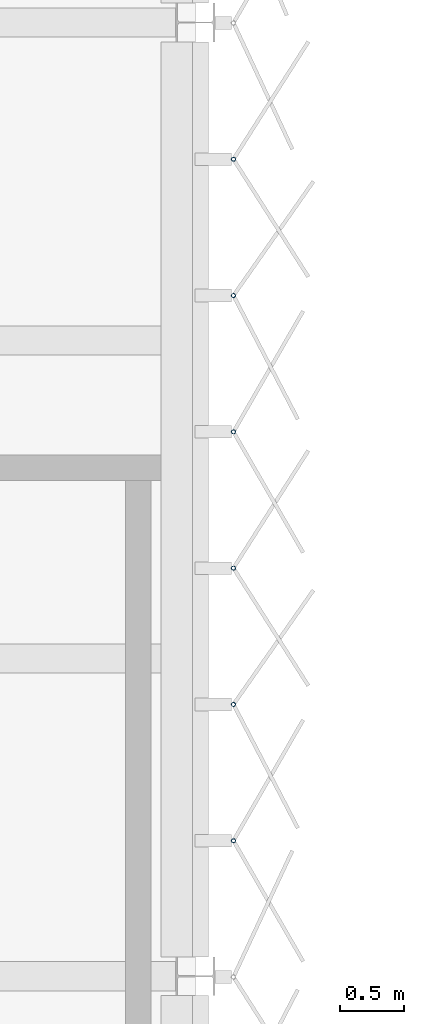
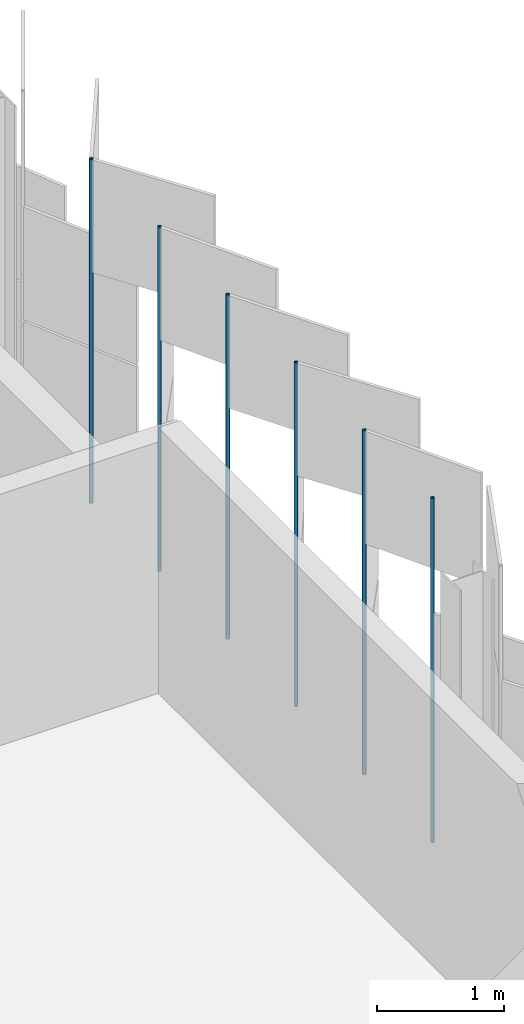
# One storey, part 95 of 198: 6 discrete accessories.
"""IFC4 building model written with IfcOpenShell, lengths in metres."""

from ifc_helpers import new_model, si_unit, direction, frame, origin, origin_2d, place, context, subcontext, project, spatial, hollow_circle, extrude, material, material_profile, profile_set, type_object, element, save


model = new_model("IFC4")

# Units and contexts
model_context = context("Model", 3, precision=1e-05, world=origin(), true_north=direction((0.0, 1.0)))
body_context = subcontext(model_context, "Body", "Model", "MODEL_VIEW")
ifc_project = project(units=[si_unit("LENGTHUNIT", "METRE"), si_unit("AREAUNIT", "SQUARE_METRE"), si_unit("VOLUMEUNIT", "CUBIC_METRE"), si_unit("PLANEANGLEUNIT", "RADIAN"), si_unit("MASSUNIT", "GRAM", prefix="KILO")], contexts=[model_context])

# Site, building, storey
site_placement = place(None, origin())
site = spatial("IfcSite", under=ifc_project, at=site_placement, CompositionType="ELEMENT")
building_placement = place(site_placement, origin())
building = spatial("IfcBuilding", under=site, at=building_placement, Name="Parallax Yard Mobility Hub", CompositionType="ELEMENT")
storey_placement = place(building_placement, frame((0.0, 0.0, 6.60009765625)))
storey = spatial("IfcBuildingStorey", under=building, at=storey_placement, Name="L02", CompositionType="ELEMENT", Elevation=6.60009765625)

# Discrete accessories
ifc_material = material(Name="Steel ASTM A500 Gr C, hot-dip galvanised", Category="steel")
ifc_material_profile = material_profile(ifc_material, hollow_circle(Radius=0.016845703125, WallThickness=0.003173828125, at=origin_2d()), Name="CHS 33.7x3.2")
ifc_profile_set = profile_set([ifc_material_profile], Name="Steel ASTM A500 Gr C, hot-dip galvanised")
discrete_accessory_type = type_object("IfcDiscreteAccessoryType", Name="Hinge post CHS 33.7x3.2", PredefinedType="BRACKET", material=ifc_profile_set)
for number, where, z_axis, x_axis, name in (
    (1, (225.300048828125, 61.065673828125, 0.0), (0.0, 0.0, 1.0), (1.0, 0.0, 0.0), "Hinge post bay 37.2 level L02"),
    (2, (225.300048828125, 62.137451171875, 0.0), (0.0, 0.0, 1.0), (1.0, 0.0, 0.0), "Hinge post bay 37.3 level L02"),
    (3, (225.300048828125, 63.209228515625, 0.0), (0.0, 0.0, 1.0), (1.0, 0.0, 0.0), "Hinge post bay 37.4 level L02"),
    (4, (225.300048828125, 64.281005859375, 0.0), (0.0, 0.0, 1.0), (1.0, 0.0, 0.0), "Hinge post bay 37.5 level L02"),
    (5, (225.300048828125, 65.3525390625, 0.0), (0.0, 0.0, 1.0), (1.0, 0.0, 0.0), "Hinge post bay 37.6 level L02"),
    (6, (225.300048828125, 66.42431640625, 0.0), (0.0, 0.0, 1.0), (1.0, 0.0, 0.0), "Hinge post bay 37.7 level L02"),
):
    element("IfcDiscreteAccessory", number, at=place(storey_placement, frame(where, z_axis=z_axis, x_axis=x_axis)), inside=storey, type_object=discrete_accessory_type, Name=name, PredefinedType="BRACKET", context=body_context, shape_type="SweptSolid", body=[
        extrude(hollow_circle(Radius=0.016845703125, WallThickness=0.003173828125, at=origin_2d()), origin(), (0.0, 0.0, 1.0), 3.2998046875),
    ])

save(model, "model.ifc")
